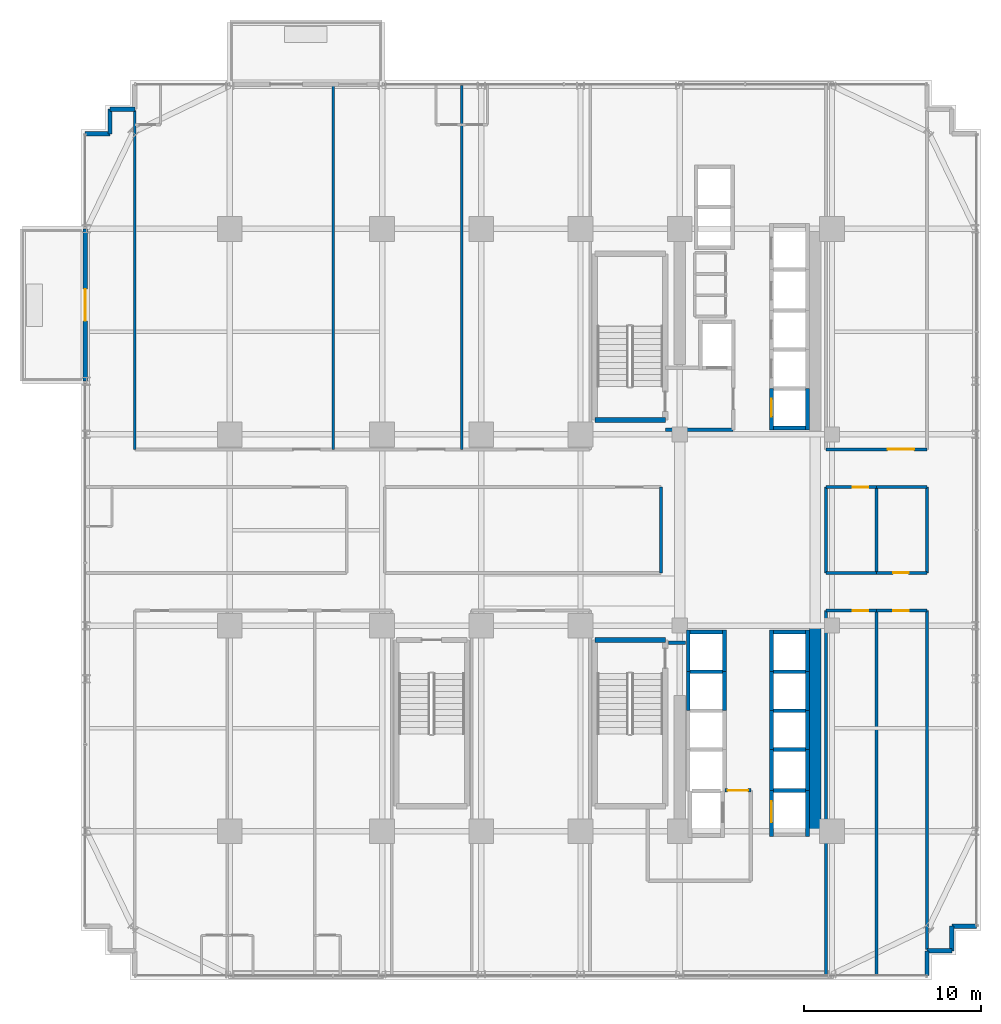
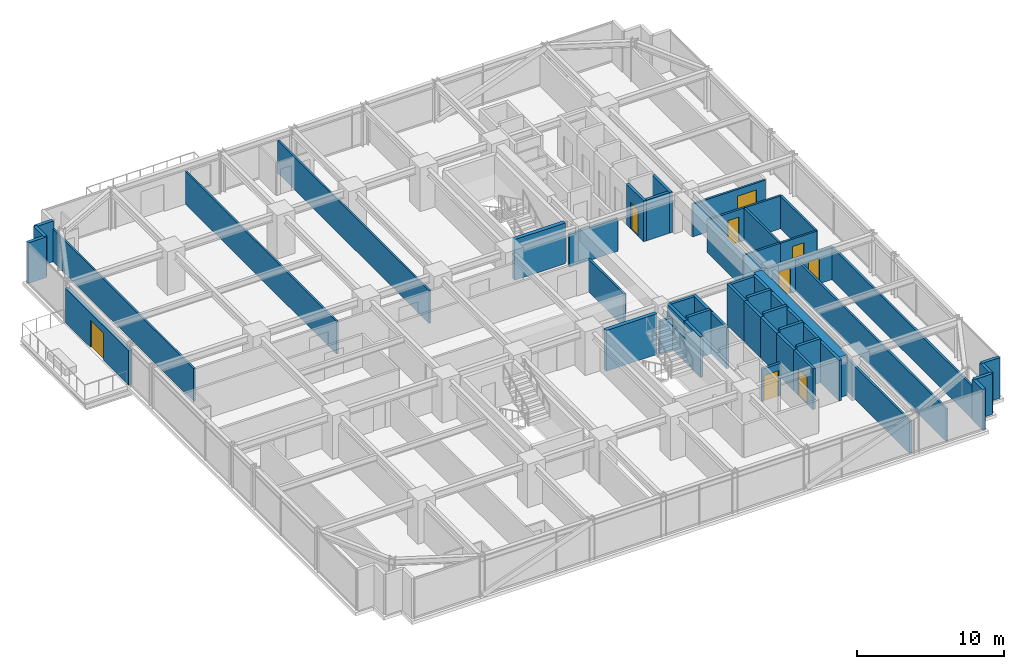
# One storey, part 30 of 36: 55 walls, 9 doors, 9 openings.
"""IFC4 building model written with IfcOpenShell, lengths in metres."""

from ifc_helpers import new_model, si_unit, direction, frame, frame_2d, origin, place, context, subcontext, project, spatial, rectangle, extrude, source, transform, mapped, material, layer, layer_set, type_object, element, fill, save


model = new_model("IFC4")

# Units and contexts
model_context = context("Model", 3, precision=1e-05, world=origin(), true_north=direction((0.0, 1.0)))
body_context = subcontext(model_context, "Body", "Model", "MODEL_VIEW")
ifc_project = project(units=[si_unit("LENGTHUNIT", "METRE"), si_unit("AREAUNIT", "SQUARE_METRE"), si_unit("VOLUMEUNIT", "CUBIC_METRE"), si_unit("PLANEANGLEUNIT", "RADIAN"), si_unit("MASSUNIT", "GRAM", prefix="KILO")], contexts=[model_context])

# Site, building, storey
site_placement = place(None, origin())
site = spatial("IfcSite", under=ifc_project, at=site_placement, CompositionType="ELEMENT")
building_placement = place(site_placement, origin())
building = spatial("IfcBuilding", under=site, at=building_placement, Name="Nahalor Promenade Grand Hotel", CompositionType="ELEMENT")
storey_placement = place(building_placement, frame((0.0, 0.0, 76.199951171875)))
storey = spatial("IfcBuildingStorey", under=building, at=storey_placement, Name="L18", CompositionType="ELEMENT", Elevation=76.199951171875)

# Walls
ifc_material_1 = material(Name="Concrete B-60 (C50/60)", Category="concrete")
ifc_layer_1 = layer(ifc_material_1, 0.64990234375)
ifc_layer_set_1 = layer_set([ifc_layer_1], Name="Concrete B-60 (C50/60)")
wall_type_1 = type_object("IfcWallType", Name="Wall-CoreShear-650", PredefinedType="SHEAR", material=ifc_layer_set_1)
shared_shape_1 = source(origin(), body_context, "Body", "SweptSolid", [
    extrude(rectangle(XDim=11.60009765625, YDim=0.64990234375, at=frame_2d((5.800048828125, 0.0))), origin(), (0.0, 0.0, 1.0), 3.3701171875),
])
wall_1_placement = place(storey_placement, frame((16.050048828125, -17.0, 0.0), z_axis=(0.0, 0.0, 1.0), x_axis=(0.0, 1.0, 0.0)))
element("IfcWall", 1, at=wall_1_placement, inside=storey, type_object=wall_type_1, Name="CWALL-L18-SE", PredefinedType="SHEAR", context=body_context, shape_type="MappedRepresentation", body=[
    mapped(shared_shape_1, transform((0.0, 0.0, 0.0), scale=1.0)),
])
ifc_material_2 = material(Name="Concrete B-50 (C40/50)", Category="concrete")
ifc_layer_2 = layer(ifc_material_2, 0.300048828125)
ifc_layer_set_2 = layer_set([ifc_layer_2], Name="Concrete B-50 (C40/50)")
wall_type_2 = type_object("IfcWallType", Name="Wall-ShaftShear-300", PredefinedType="SHEAR", material=ifc_layer_set_2)
shared_shape_2 = source(origin(), body_context, "Body", "SweptSolid", [
    extrude(rectangle(XDim=3.97998046875, YDim=0.300048828125, at=frame_2d((1.989990234375, 0.0))), origin(), (0.0, 0.0, 1.0), 3.3701171875),
])
for number, where, z_axis, x_axis, name in (
    (2, (3.610107421875, 6.2099609375, 0.0), (0.0, 0.0, 1.0), (1.0, 0.0, 0.0), "L18 Exit Stair ST1 Shaft Wall S"),
    (3, (3.610107421875, -6.2099609375, 0.0), (0.0, 0.0, 1.0), (1.0, 0.0, 0.0), "L18 Exit Stair ST2 Shaft Wall N"),
):
    element("IfcWall", number, at=place(storey_placement, frame(where, z_axis=z_axis, x_axis=x_axis)), inside=storey, type_object=wall_type_2, Name=name, PredefinedType="SHEAR", context=body_context, shape_type="MappedRepresentation", body=[
        mapped(shared_shape_2, transform((0.0, 0.0, 0.0), scale=1.0)),
    ])

# Wall, opening, door
ifc_layer_3 = layer(ifc_material_2, 0.219970703125)
ifc_layer_set_3 = layer_set([ifc_layer_3], Name="Concrete B-50 (C40/50)")
wall_type_3 = type_object("IfcWallType", Name="Wall-LiftShaft-220", PredefinedType="SHEAR", material=ifc_layer_set_3)
shared_shape_3 = source(origin(), body_context, "Body", "SweptSolid", [
    extrude(rectangle(XDim=2.360107421875, YDim=0.219970703125, at=frame_2d((1.18017578125, 0.0))), origin(), (0.0, 0.0, 1.0), 3.3701171875),
])
wall_2_placement = place(storey_placement, frame((13.580078125, 5.639892578125, 0.0), z_axis=(0.0, 0.0, 1.0), x_axis=(0.0, 1.0, 0.0)))
wall_2 = element("IfcWall", 4, at=wall_2_placement, inside=storey, type_object=wall_type_3, Name="L18 Lift PL1 Hoistway Wall W", PredefinedType="SHEAR", context=body_context, shape_type="MappedRepresentation", body=[
    mapped(shared_shape_3, transform((0.0, 0.0, 0.0), scale=1.0)),
])
opening_1_placement = place(wall_2_placement, frame((0.760009765625, 0.0, 0.0)))
opening_1 = element("IfcOpeningElement", 5, at=opening_1_placement, cuts=wall_2, Name="Opening LD-01", PredefinedType="OPENING", context=body_context, shape_type="SweptSolid", body=[
    extrude(rectangle(XDim=1.0, YDim=2.199951171875, at=frame_2d((0.5, 1.10009765625))), frame((0.0, 0.119873046875, 0.0), z_axis=(0.0, -1.0, 0.0), x_axis=(1.0, 0.0, 0.0)), (0.0, 0.0, 1.0), 0.239990234375),
])
ifc_material_3 = material(Name="Steel S355JR", Category="steel")
door_type_1 = type_object("IfcDoorType", Name="Door-LiftLanding-1000", OperationType="DOUBLE_DOOR_SLIDING", PredefinedType="DOOR", material=ifc_material_3)
shared_shape_4 = source(origin(), body_context, "Body", "SweptSolid", [
    extrude(rectangle(XDim=1.0, YDim=2.199951171875, at=frame_2d((0.5, 1.10009765625))), frame((0.0, 0.02490234375, 0.0), z_axis=(0.0, -1.0, 0.0), x_axis=(1.0, 0.0, 0.0)), (0.0, 0.0, 1.0), 0.050048828125),
])
door_1_placement = place(opening_1_placement, origin())
door_1 = element("IfcDoor", 6, at=door_1_placement, inside=storey, type_object=door_type_1, Name="DR-LIFT-PL1-L18", OperationType="DOUBLE_DOOR_SLIDING", OverallHeight=2.199951171875, OverallWidth=1.0, PredefinedType="DOOR", context=body_context, shape_type="MappedRepresentation", body=[
    mapped(shared_shape_4, transform((0.0, 0.0, 0.0), scale=1.0)),
])
fill(opening_1, door_1)

# Walls
for number, where, z_axis, x_axis, name in (
    (7, (15.6201171875, 5.639892578125, 0.0), (0.0, 0.0, 1.0), (0.0, 1.0, 0.0), "L18 Lift PL1 Hoistway Wall E"),
    (8, (13.580078125, -8.0, 0.0), (0.0, 0.0, 1.0), (0.0, 1.0, 0.0), "L18 Lift PL5 Hoistway Wall W"),
    (9, (15.6201171875, -8.0, 0.0), (0.0, 0.0, 1.0), (0.0, 1.0, 0.0), "L18 Lift PL5 Hoistway Wall E"),
    (10, (8.8798828125, -8.0, 0.0), (0.0, 0.0, 1.0), (0.0, 1.0, 0.0), "L18 Lift PL9 Hoistway Wall W"),
    (11, (10.919921875, -8.0, 0.0), (0.0, 0.0, 1.0), (0.0, 1.0, 0.0), "L18 Lift PL9 Hoistway Wall E"),
):
    element("IfcWall", number, at=place(storey_placement, frame(where, z_axis=z_axis, x_axis=x_axis)), inside=storey, type_object=wall_type_3, Name=name, PredefinedType="SHEAR", context=body_context, shape_type="MappedRepresentation", body=[
        mapped(shared_shape_3, transform((0.0, 0.0, 0.0), scale=1.0)),
    ])
shared_shape_5 = source(origin(), body_context, "Body", "SweptSolid", [
    extrude(rectangle(XDim=1.820068359375, YDim=0.219970703125, at=frame_2d((0.91015625, 0.0))), origin(), (0.0, 0.0, 1.0), 3.3701171875),
])
for number, where, z_axis, x_axis, name in (
    (12, (13.68994140625, 5.75, 0.0), (0.0, 0.0, 1.0), (1.0, 0.0, 0.0), "L18 Lift PL1 Hoistway Wall S"),
    (13, (13.68994140625, -5.75, 0.0), (0.0, 0.0, 1.0), (1.0, 0.0, 0.0), "L18 Lift PL5 Hoistway Wall N"),
    (14, (8.989990234375, -5.75, 0.0), (0.0, 0.0, 1.0), (1.0, 0.0, 0.0), "L18 Lift PL9 Hoistway Wall N"),
):
    element("IfcWall", number, at=place(storey_placement, frame(where, z_axis=z_axis, x_axis=x_axis)), inside=storey, type_object=wall_type_3, Name=name, PredefinedType="SHEAR", context=body_context, shape_type="MappedRepresentation", body=[
        mapped(shared_shape_5, transform((0.0, 0.0, 0.0), scale=1.0)),
    ])
shared_shape_6 = source(origin(), body_context, "Body", "SweptSolid", [
    extrude(rectangle(XDim=1.820068359375, YDim=0.219970703125, at=frame_2d((0.91015625, 0.0))), origin(), (0.0, 0.0, 1.0), 3.650146484375),
])
for number, where, z_axis, x_axis, name in (
    (15, (13.68994140625, -8.0, 0.0), (0.0, 0.0, 1.0), (1.0, 0.0, 0.0), "L18 Lift PL6 Hoistway Wall N"),
    (16, (13.68994140625, -10.199951171875, 0.0), (0.0, 0.0, 1.0), (1.0, 0.0, 0.0), "L18 Lift PL7 Hoistway Wall N"),
    (17, (13.68994140625, -12.39990234375, 0.0), (0.0, 0.0, 1.0), (1.0, 0.0, 0.0), "L18 Lift PL8 Hoistway Wall N"),
    (18, (8.989990234375, -8.0, 0.0), (0.0, 0.0, 1.0), (1.0, 0.0, 0.0), "L18 Lift PL10 Hoistway Wall N"),
    (19, (13.68994140625, -14.699951171875, 0.0), (0.0, 0.0, 1.0), (1.0, 0.0, 0.0), "L18 Lift SV2 Hoistway Wall N"),
):
    element("IfcWall", number, at=place(storey_placement, frame(where, z_axis=z_axis, x_axis=x_axis)), inside=storey, type_object=wall_type_3, Name=name, PredefinedType="SHEAR", context=body_context, shape_type="MappedRepresentation", body=[
        mapped(shared_shape_6, transform((0.0, 0.0, 0.0), scale=1.0)),
    ])
shared_shape_7 = source(origin(), body_context, "Body", "SweptSolid", [
    extrude(rectangle(XDim=2.199951171875, YDim=0.219970703125, at=frame_2d((1.10009765625, 0.0))), origin(), (0.0, 0.0, 1.0), 3.3701171875),
])
for number, where, z_axis, x_axis, name in (
    (20, (13.580078125, -10.199951171875, 0.0), (0.0, 0.0, 1.0), (0.0, 1.0, 0.0), "L18 Lift PL6 Hoistway Wall W"),
    (21, (15.6201171875, -10.199951171875, 0.0), (0.0, 0.0, 1.0), (0.0, 1.0, 0.0), "L18 Lift PL6 Hoistway Wall E"),
    (22, (13.580078125, -12.39990234375, 0.0), (0.0, 0.0, 1.0), (0.0, 1.0, 0.0), "L18 Lift PL7 Hoistway Wall W"),
    (23, (15.6201171875, -12.39990234375, 0.0), (0.0, 0.0, 1.0), (0.0, 1.0, 0.0), "L18 Lift PL7 Hoistway Wall E"),
    (24, (8.8798828125, -10.199951171875, 0.0), (0.0, 0.0, 1.0), (0.0, 1.0, 0.0), "L18 Lift PL10 Hoistway Wall W"),
    (25, (10.919921875, -10.199951171875, 0.0), (0.0, 0.0, 1.0), (0.0, 1.0, 0.0), "L18 Lift PL10 Hoistway Wall E"),
):
    element("IfcWall", number, at=place(storey_placement, frame(where, z_axis=z_axis, x_axis=x_axis)), inside=storey, type_object=wall_type_3, Name=name, PredefinedType="SHEAR", context=body_context, shape_type="MappedRepresentation", body=[
        mapped(shared_shape_7, transform((0.0, 0.0, 0.0), scale=1.0)),
    ])
shared_shape_8 = source(origin(), body_context, "Body", "SweptSolid", [
    extrude(rectangle(XDim=2.300048828125, YDim=0.219970703125, at=frame_2d((1.14990234375, 0.0))), origin(), (0.0, 0.0, 1.0), 3.3701171875),
])
for number, where, z_axis, x_axis, name in (
    (26, (13.580078125, -14.699951171875, 0.0), (0.0, 0.0, 1.0), (0.0, 1.0, 0.0), "L18 Lift PL8 Hoistway Wall W"),
    (27, (15.6201171875, -14.699951171875, 0.0), (0.0, 0.0, 1.0), (0.0, 1.0, 0.0), "L18 Lift PL8 Hoistway Wall E"),
):
    element("IfcWall", number, at=place(storey_placement, frame(where, z_axis=z_axis, x_axis=x_axis)), inside=storey, type_object=wall_type_3, Name=name, PredefinedType="SHEAR", context=body_context, shape_type="MappedRepresentation", body=[
        mapped(shared_shape_8, transform((0.0, 0.0, 0.0), scale=1.0)),
    ])

# Wall, opening, door
shared_shape_9 = source(origin(), body_context, "Body", "SweptSolid", [
    extrude(rectangle(XDim=2.610107421875, YDim=0.219970703125, at=frame_2d((1.30517578125, 0.0))), origin(), (0.0, 0.0, 1.0), 3.3701171875),
])
wall_3_placement = place(storey_placement, frame((13.580078125, -17.31005859375, 0.0), z_axis=(0.0, 0.0, 1.0), x_axis=(0.0, 1.0, 0.0)))
wall_3 = element("IfcWall", 28, at=wall_3_placement, inside=storey, type_object=wall_type_3, Name="L18 Lift SV2 Hoistway Wall W", PredefinedType="SHEAR", context=body_context, shape_type="MappedRepresentation", body=[
    mapped(shared_shape_9, transform((0.0, 0.0, 0.0), scale=1.0)),
])
opening_2_placement = place(wall_3_placement, frame((0.81005859375, 0.0, 0.0)))
opening_2 = element("IfcOpeningElement", 29, at=opening_2_placement, cuts=wall_3, Name="Opening LD-03", PredefinedType="OPENING", context=body_context, shape_type="SweptSolid", body=[
    extrude(rectangle(XDim=1.199951171875, YDim=2.199951171875, at=frame_2d((0.60009765625, 1.10009765625))), frame((0.0, 0.119873046875, 0.0), z_axis=(0.0, -1.0, 0.0), x_axis=(1.0, 0.0, 0.0)), (0.0, 0.0, 1.0), 0.239990234375),
])
door_type_2 = type_object("IfcDoorType", Name="Door-LiftService-1200", OperationType="DOUBLE_DOOR_SLIDING", PredefinedType="DOOR", material=ifc_material_3)
shared_shape_10 = source(origin(), body_context, "Body", "SweptSolid", [
    extrude(rectangle(XDim=1.199951171875, YDim=2.199951171875, at=frame_2d((0.60009765625, 1.10009765625))), frame((0.0, 0.02490234375, 0.0), z_axis=(0.0, -1.0, 0.0), x_axis=(1.0, 0.0, 0.0)), (0.0, 0.0, 1.0), 0.050048828125),
])
door_2_placement = place(opening_2_placement, origin())
door_2 = element("IfcDoor", 30, at=door_2_placement, inside=storey, type_object=door_type_2, Name="DR-LIFT-SV2-L18", OperationType="DOUBLE_DOOR_SLIDING", OverallHeight=2.199951171875, OverallWidth=1.199951171875, PredefinedType="DOOR", context=body_context, shape_type="MappedRepresentation", body=[
    mapped(shared_shape_10, transform((0.0, 0.0, 0.0), scale=1.0)),
])
fill(opening_2, door_2)

# Walls
wall_4_placement = place(storey_placement, frame((15.6201171875, -17.31005859375, 0.0), z_axis=(0.0, 0.0, 1.0), x_axis=(0.0, 1.0, 0.0)))
element("IfcWall", 31, at=wall_4_placement, inside=storey, type_object=wall_type_3, Name="L18 Lift SV2 Hoistway Wall E", PredefinedType="SHEAR", context=body_context, shape_type="MappedRepresentation", body=[
    mapped(shared_shape_9, transform((0.0, 0.0, 0.0), scale=1.0)),
])
ifc_material_4 = material(Name="Concrete B-40 (C32/40)", Category="concrete")
ifc_layer_4 = layer(ifc_material_4, 0.25)
ifc_layer_set_4 = layer_set([ifc_layer_4], Name="Concrete B-40 (C32/40)")
wall_type_4 = type_object("IfcWallType", Name="Wall-BronzePier-250", PredefinedType="STANDARD", material=ifc_layer_set_4)
shared_shape_11 = source(origin(), body_context, "Body", "SweptSolid", [
    extrude(rectangle(XDim=1.39990234375, YDim=0.25, at=frame_2d((0.699951171875, 0.0))), origin(), (0.0, 0.0, 1.0), 3.3701171875),
])
for number, where, z_axis, x_axis, name in (
    (32, (22.360107421875, -25.159912109375, 0.0), (0.0, 0.0, 1.0), (0.0, 1.0, 0.0), "W-L18-SR-01"),
    (33, (22.360107421875, -23.760009765625, 0.0), (0.0, 0.0, 1.0), (1.0, 0.0, 0.0), "W-L18-SR-02"),
    (34, (23.760009765625, -23.760009765625, 0.0), (0.0, 0.0, 1.0), (0.0, 1.0, 0.0), "W-L18-SR-03"),
    (35, (23.760009765625, -22.360107421875, 0.0), (0.0, 0.0, 1.0), (1.0, 0.0, 0.0), "W-L18-SR-04"),
    (36, (-23.760009765625, 23.760009765625, 0.0), (0.0, 0.0, 1.0), (1.0, 0.0, 0.0), "W-L18-SR-10"),
    (37, (-23.760009765625, 22.360107421875, 0.0), (0.0, 0.0, 1.0), (0.0, 1.0, 0.0), "W-L18-SR-11"),
    (38, (-25.159912109375, 22.360107421875, 0.0), (0.0, 0.0, 1.0), (1.0, 0.0, 0.0), "W-L18-SR-12"),
):
    element("IfcWall", number, at=place(storey_placement, frame(where, z_axis=z_axis, x_axis=x_axis)), inside=storey, type_object=wall_type_4, Name=name, PredefinedType="STANDARD", context=body_context, shape_type="MappedRepresentation", body=[
        mapped(shared_shape_11, transform((0.0, 0.0, 0.0), scale=1.0)),
    ])

# Wall, opening, door
ifc_layer_5 = layer(ifc_material_4, 0.260009765625)
ifc_layer_set_5 = layer_set([ifc_layer_5], Name="Concrete B-40 (C32/40)")
wall_type_5 = type_object("IfcWallType", Name="Wall-BalconyWall-260", PredefinedType="STANDARD", material=ifc_layer_set_5)
shared_shape_12 = source(origin(), body_context, "Body", "SweptSolid", [
    extrude(rectangle(XDim=8.60009765625, YDim=0.260009765625, at=frame_2d((4.300048828125, 0.0))), origin(), (0.0, 0.0, 1.0), 2.85009765625),
])
wall_5_placement = place(storey_placement, frame((-25.159912109375, 8.39990234375, 0.0), z_axis=(0.0, 0.0, 1.0), x_axis=(0.0, 1.0, 0.0)))
wall_5 = element("IfcWall", 39, at=wall_5_placement, inside=storey, type_object=wall_type_5, Name="W-L18-BALC-W-2", PredefinedType="STANDARD", context=body_context, shape_type="MappedRepresentation", body=[
    mapped(shared_shape_12, transform((0.0, 0.0, 0.0), scale=1.0)),
])
opening_3_placement = place(wall_5_placement, frame((3.39990234375, 0.0, 0.0)))
opening_3 = element("IfcOpeningElement", 40, at=opening_3_placement, cuts=wall_5, Name="Opening D-BC1", PredefinedType="OPENING", context=body_context, shape_type="SweptSolid", body=[
    extrude(rectangle(XDim=1.800048828125, YDim=2.25, at=frame_2d((0.89990234375, 1.125))), frame((0.0, 0.139892578125, 0.0), z_axis=(0.0, -1.0, 0.0), x_axis=(1.0, 0.0, 0.0)), (0.0, 0.0, 1.0), 0.280029296875),
])
ifc_material_5 = material(Name="Anodised Bronze Aluminium EN AW-6063 T6", Category="aluminium")
door_type_3 = type_object("IfcDoorType", Name="Door-BalconySlide-1800", OperationType="DOUBLE_DOOR_SLIDING", PredefinedType="DOOR", material=ifc_material_5)
shared_shape_13 = source(origin(), body_context, "Body", "SweptSolid", [
    extrude(rectangle(XDim=1.800048828125, YDim=2.25, at=frame_2d((0.89990234375, 1.125))), frame((0.0, 0.02490234375, 0.0), z_axis=(0.0, -1.0, 0.0), x_axis=(1.0, 0.0, 0.0)), (0.0, 0.0, 1.0), 0.050048828125),
])
door_3_placement = place(opening_3_placement, origin())
door_3 = element("IfcDoor", 41, at=door_3_placement, inside=storey, type_object=door_type_3, Name="DR-L18-BALC-W-2", OperationType="DOUBLE_DOOR_SLIDING", OverallHeight=2.25, OverallWidth=1.800048828125, PredefinedType="DOOR", context=body_context, shape_type="MappedRepresentation", body=[
    mapped(shared_shape_13, transform((0.0, 0.0, 0.0), scale=1.0)),
])
fill(opening_3, door_3)

# Wall
ifc_layer_6 = layer(ifc_material_4, 0.199951171875)
ifc_layer_set_6 = layer_set([ifc_layer_6], Name="Concrete B-40 (C32/40)")
wall_type_6 = type_object("IfcWallType", Name="Wall-PartFire-200", PredefinedType="PARTITIONING", material=ifc_layer_set_6)
shared_shape_14 = source(origin(), body_context, "Body", "SweptSolid", [
    extrude(rectangle(XDim=3.81982421875, YDim=0.199951171875, at=frame_2d((1.909912109375, 0.0))), origin(), (0.0, 0.0, 1.0), 2.7099609375),
])
wall_6_placement = place(storey_placement, frame((7.60009765625, 5.64990234375, 0.0), z_axis=(0.0, 0.0, 1.0), x_axis=(1.0, 0.0, 0.0)))
element("IfcWall", 42, at=wall_6_placement, inside=storey, type_object=wall_type_6, Name="W-L18-FF1-S", PredefinedType="PARTITIONING", context=body_context, shape_type="MappedRepresentation", body=[
    mapped(shared_shape_14, transform((0.0, 0.0, 0.0), scale=1.0)),
])

# Wall, opening, door
shared_shape_15 = source(origin(), body_context, "Body", "SweptSolid", [
    extrude(rectangle(XDim=1.4599609375, YDim=0.199951171875, at=frame_2d((0.72998046875, 0.0))), origin(), (0.0, 0.0, 1.0), 2.7099609375),
])
wall_7_placement = place(storey_placement, frame((10.9599609375, -14.699951171875, 0.0), z_axis=(0.0, 0.0, 1.0), x_axis=(1.0, 0.0, 0.0)))
wall_7 = element("IfcWall", 43, at=wall_7_placement, inside=storey, type_object=wall_type_6, Name="W-L18-FF2-N1", PredefinedType="PARTITIONING", context=body_context, shape_type="MappedRepresentation", body=[
    mapped(shared_shape_15, transform((0.0, 0.0, 0.0), scale=1.0)),
])
opening_4_placement = place(wall_7_placement, frame((0.14501953125, 0.0, 0.0)))
opening_4 = element("IfcOpeningElement", 44, at=opening_4_placement, cuts=wall_7, Name="Opening D-FF1", PredefinedType="OPENING", context=body_context, shape_type="SweptSolid", body=[
    extrude(rectangle(XDim=1.14990234375, YDim=2.14990234375, at=frame_2d((0.574951171875, 1.074951171875))), frame((0.0, 0.10986328125, 0.0), z_axis=(0.0, -1.0, 0.0), x_axis=(1.0, 0.0, 0.0)), (0.0, 0.0, 1.0), 0.219970703125),
])
door_type_4 = type_object("IfcDoorType", Name="Door-FFLobby-1150", OperationType="NOTDEFINED", PredefinedType="DOOR", material=ifc_material_3)
shared_shape_16 = source(origin(), body_context, "Body", "SweptSolid", [
    extrude(rectangle(XDim=1.14990234375, YDim=2.14990234375, at=frame_2d((0.574951171875, 1.074951171875))), frame((0.0, 0.02490234375, 0.0), z_axis=(0.0, -1.0, 0.0), x_axis=(1.0, 0.0, 0.0)), (0.0, 0.0, 1.0), 0.050048828125),
])
door_4_placement = place(opening_4_placement, origin())
door_4 = element("IfcDoor", 45, at=door_4_placement, inside=storey, type_object=door_type_4, Name="DR-L18-FFL2", OperationType="SINGLE_SWING_RIGHT", OverallHeight=2.14990234375, OverallWidth=1.14990234375, PredefinedType="DOOR", context=body_context, shape_type="MappedRepresentation", body=[
    mapped(shared_shape_16, transform((0.0, 0.0, 0.0), scale=1.0)),
])
fill(opening_4, door_4)

# Wall
shared_shape_17 = source(origin(), body_context, "Body", "SweptSolid", [
    extrude(rectangle(XDim=0.969970703125, YDim=0.199951171875, at=frame_2d((0.48486328125, 0.0))), origin(), (0.0, 0.0, 1.0), 2.7099609375),
])
wall_8_placement = place(storey_placement, frame((7.77001953125, -6.35009765625, 0.0), z_axis=(0.0, 0.0, 1.0), x_axis=(1.0, 0.0, 0.0)))
element("IfcWall", 46, at=wall_8_placement, inside=storey, type_object=wall_type_6, Name="W-L18-FF2-N2", PredefinedType="PARTITIONING", context=body_context, shape_type="MappedRepresentation", body=[
    mapped(shared_shape_17, transform((0.0, 0.0, 0.0), scale=1.0)),
])

# Wall, opening, door
ifc_material_6 = material(Name="Acoustic Mineral Gypsum", Category="gypsum")
ifc_layer_7 = layer(ifc_material_6, 0.159912109375)
ifc_layer_set_7 = layer_set([ifc_layer_7], Name="Acoustic Mineral Gypsum")
wall_type_7 = type_object("IfcWallType", Name="Wall-PartCorridor-160", PredefinedType="PARTITIONING", material=ifc_layer_set_7)
shared_shape_18 = source(origin(), body_context, "Body", "SweptSolid", [
    extrude(rectangle(XDim=5.710205078125, YDim=0.159912109375, at=frame_2d((2.85498046875, 0.0))), origin(), (0.0, 0.0, 1.0), 2.7099609375),
])
wall_9_placement = place(storey_placement, frame((16.64990234375, 4.550048828125, 0.0), z_axis=(0.0, 0.0, 1.0), x_axis=(1.0, 0.0, 0.0)))
wall_9 = element("IfcWall", 47, at=wall_9_placement, inside=storey, type_object=wall_type_7, Name="W-L18-ENE-S", PredefinedType="PARTITIONING", context=body_context, shape_type="MappedRepresentation", body=[
    mapped(shared_shape_18, transform((0.0, 0.0, 0.0), scale=1.0)),
])
opening_5_placement = place(wall_9_placement, frame((3.47900390625, 0.0, 0.0)))
opening_5 = element("IfcOpeningElement", 48, at=opening_5_placement, cuts=wall_9, Name="Opening D-02", PredefinedType="OPENING", context=body_context, shape_type="SweptSolid", body=[
    extrude(rectangle(XDim=1.5, YDim=2.14990234375, at=frame_2d((0.75, 1.074951171875))), frame((0.0, 0.08984375, 0.0), z_axis=(0.0, -1.0, 0.0), x_axis=(1.0, 0.0, 0.0)), (0.0, 0.0, 1.0), 0.179931640625),
])
ifc_material_7 = material(Name="Fire-Rated Timber Composite", Category="wood")
door_type_5 = type_object("IfcDoorType", Name="Door-SuiteDouble-1500", OperationType="DOUBLE_DOOR_SINGLE_SWING", PredefinedType="DOOR", material=ifc_material_7)
shared_shape_19 = source(origin(), body_context, "Body", "SweptSolid", [
    extrude(rectangle(XDim=1.5, YDim=2.14990234375, at=frame_2d((0.75, 1.074951171875))), frame((0.0, 0.02490234375, 0.0), z_axis=(0.0, -1.0, 0.0), x_axis=(1.0, 0.0, 0.0)), (0.0, 0.0, 1.0), 0.050048828125),
])
door_5_placement = place(opening_5_placement, origin())
door_5 = element("IfcDoor", 49, at=door_5_placement, inside=storey, type_object=door_type_5, Name="DR-L18-ENE", OperationType="DOUBLE_DOOR_SINGLE_SWING", OverallHeight=2.14990234375, OverallWidth=1.5, PredefinedType="DOOR", context=body_context, shape_type="MappedRepresentation", body=[
    mapped(shared_shape_19, transform((0.0, 0.0, 0.0), scale=1.0)),
])
fill(opening_5, door_5)

# Walls
shared_shape_20 = source(origin(), body_context, "Body", "SweptSolid", [
    extrude(rectangle(XDim=20.550048828125, YDim=0.159912109375, at=frame_2d((10.27490234375, 0.0))), origin(), (0.0, 0.0, 1.0), 2.7099609375),
])
for number, where, z_axis, x_axis, name in (
    (50, (16.64990234375, -25.10009765625, 0.0), (0.0, 0.0, 1.0), (0.0, 1.0, 0.0), "W-L18-ESE1-W"),
    (51, (19.5048828125, -25.10009765625, 0.0), (0.0, 0.0, 1.0), (0.0, 1.0, 0.0), "W-L18-ESE1-E"),
):
    element("IfcWall", number, at=place(storey_placement, frame(where, z_axis=z_axis, x_axis=x_axis)), inside=storey, type_object=wall_type_7, Name=name, PredefinedType="PARTITIONING", context=body_context, shape_type="MappedRepresentation", body=[
        mapped(shared_shape_20, transform((0.0, 0.0, 0.0), scale=1.0)),
    ])
shared_shape_21 = source(origin(), body_context, "Body", "SweptSolid", [
    extrude(rectangle(XDim=19.1298828125, YDim=0.159912109375, at=frame_2d((9.56494140625, 0.0))), origin(), (0.0, 0.0, 1.0), 2.7099609375),
])
wall_10_placement = place(storey_placement, frame((22.360107421875, -23.679931640625, 0.0), z_axis=(0.0, 0.0, 1.0), x_axis=(0.0, 1.0, 0.0)))
element("IfcWall", 52, at=wall_10_placement, inside=storey, type_object=wall_type_7, Name="W-L18-ESE2-E", PredefinedType="PARTITIONING", context=body_context, shape_type="MappedRepresentation", body=[
    mapped(shared_shape_21, transform((0.0, 0.0, 0.0), scale=1.0)),
])
ifc_layer_8 = layer(ifc_material_6, 0.139892578125)
ifc_layer_set_8 = layer_set([ifc_layer_8], Name="Acoustic Mineral Gypsum")
wall_type_8 = type_object("IfcWallType", Name="Wall-PartSuite-140", PredefinedType="PARTITIONING", material=ifc_layer_set_8)
shared_shape_22 = source(origin(), body_context, "Body", "SweptSolid", [
    extrude(rectangle(XDim=19.1298828125, YDim=0.139892578125, at=frame_2d((9.56494140625, 0.0))), origin(), (0.0, 0.0, 1.0), 2.7099609375),
])
wall_11_placement = place(storey_placement, frame((-22.360107421875, 4.550048828125, 0.0), z_axis=(0.0, 0.0, 1.0), x_axis=(0.0, 1.0, 0.0)))
element("IfcWall", 53, at=wall_11_placement, inside=storey, type_object=wall_type_8, Name="W-L18-NW-ENDW", PredefinedType="PARTITIONING", context=body_context, shape_type="MappedRepresentation", body=[
    mapped(shared_shape_22, transform((0.0, 0.0, 0.0), scale=1.0)),
])
shared_shape_23 = source(origin(), body_context, "Body", "SweptSolid", [
    extrude(rectangle(XDim=20.550048828125, YDim=0.139892578125, at=frame_2d((10.27490234375, 0.0))), origin(), (0.0, 0.0, 1.0), 2.7099609375),
])
for number, where, z_axis, x_axis, name in (
    (54, (-11.159912109375, 4.550048828125, 0.0), (0.0, 0.0, 1.0), (0.0, 1.0, 0.0), "W-L18-NP-1"),
    (55, (-3.909912109375, 4.550048828125, 0.0), (0.0, 0.0, 1.0), (0.0, 1.0, 0.0), "W-L18-NP-2"),
):
    element("IfcWall", number, at=place(storey_placement, frame(where, z_axis=z_axis, x_axis=x_axis)), inside=storey, type_object=wall_type_8, Name=name, PredefinedType="PARTITIONING", context=body_context, shape_type="MappedRepresentation", body=[
        mapped(shared_shape_23, transform((0.0, 0.0, 0.0), scale=1.0)),
    ])
shared_shape_24 = source(origin(), body_context, "Body", "SweptSolid", [
    extrude(rectangle(XDim=4.83984375, YDim=0.159912109375, at=frame_2d((2.419921875, 0.0))), origin(), (0.0, 0.0, 1.0), 2.7099609375),
])
for number, where, z_axis, x_axis, name in (
    (56, (7.35009765625, -2.419921875, 0.0), (0.0, 0.0, 1.0), (0.0, 1.0, 0.0), "W-L18-CM1-E"),
    (57, (16.64990234375, -2.419921875, 0.0), (0.0, 0.0, 1.0), (0.0, 1.0, 0.0), "W-L18-ECW1-W"),
    (58, (19.5048828125, -2.419921875, 0.0), (0.0, 0.0, 1.0), (0.0, 1.0, 0.0), "W-L18-ECW1-E"),
    (59, (22.360107421875, -2.419921875, 0.0), (0.0, 0.0, 1.0), (0.0, 1.0, 0.0), "W-L18-ECW2-E"),
):
    element("IfcWall", number, at=place(storey_placement, frame(where, z_axis=z_axis, x_axis=x_axis)), inside=storey, type_object=wall_type_7, Name=name, PredefinedType="PARTITIONING", context=body_context, shape_type="MappedRepresentation", body=[
        mapped(shared_shape_24, transform((0.0, 0.0, 0.0), scale=1.0)),
    ])

# Wall, opening, door
shared_shape_25 = source(origin(), body_context, "Body", "SweptSolid", [
    extrude(rectangle(XDim=2.85498046875, YDim=0.159912109375, at=frame_2d((1.427490234375, 0.0))), origin(), (0.0, 0.0, 1.0), 2.7099609375),
])
wall_12_placement = place(storey_placement, frame((16.64990234375, -4.550048828125, 0.0), z_axis=(0.0, 0.0, 1.0), x_axis=(1.0, 0.0, 0.0)))
wall_12 = element("IfcWall", 60, at=wall_12_placement, inside=storey, type_object=wall_type_7, Name="W-L18-ESE1-N", PredefinedType="PARTITIONING", context=body_context, shape_type="MappedRepresentation", body=[
    mapped(shared_shape_25, transform((0.0, 0.0, 0.0), scale=1.0)),
])
opening_6_placement = place(wall_12_placement, frame((1.510986328125, 0.0, 0.0)))
opening_6 = element("IfcOpeningElement", 61, at=opening_6_placement, cuts=wall_12, Name="Opening D-03", PredefinedType="OPENING", context=body_context, shape_type="SweptSolid", body=[
    extrude(rectangle(XDim=0.8798828125, YDim=2.10009765625, at=frame_2d((0.43994140625, 1.050048828125))), frame((0.0, 0.08984375, 0.0), z_axis=(0.0, -1.0, 0.0), x_axis=(1.0, 0.0, 0.0)), (0.0, 0.0, 1.0), 0.179931640625),
])
door_type_6 = type_object("IfcDoorType", Name="Door-BathSwing-880", OperationType="NOTDEFINED", PredefinedType="DOOR", material=ifc_material_7)
shared_shape_26 = source(origin(), body_context, "Body", "SweptSolid", [
    extrude(rectangle(XDim=0.8798828125, YDim=2.10009765625, at=frame_2d((0.43994140625, 1.050048828125))), frame((0.0, 0.02490234375, 0.0), z_axis=(0.0, -1.0, 0.0), x_axis=(1.0, 0.0, 0.0)), (0.0, 0.0, 1.0), 0.050048828125),
])
door_6_placement = place(opening_6_placement, frame((0.8798828125, 0.0, 0.0), z_axis=(0.0, 0.0, 1.0), x_axis=(-1.0, 0.0, 0.0)))
door_6 = element("IfcDoor", 62, at=door_6_placement, inside=storey, type_object=door_type_6, Name="DR-L18-ESE1", OperationType="SINGLE_SWING_RIGHT", OverallHeight=2.10009765625, OverallWidth=0.8798828125, PredefinedType="DOOR", context=body_context, shape_type="MappedRepresentation", body=[
    mapped(shared_shape_26, transform((0.0, 0.0, 0.0), scale=1.0)),
])
fill(opening_6, door_6)

# Wall
wall_13_placement = place(storey_placement, frame((16.64990234375, -2.419921875, 0.0), z_axis=(0.0, 0.0, 1.0), x_axis=(1.0, 0.0, 0.0)))
element("IfcWall", 63, at=wall_13_placement, inside=storey, type_object=wall_type_7, Name="W-L18-ECW1-S", PredefinedType="PARTITIONING", context=body_context, shape_type="MappedRepresentation", body=[
    mapped(shared_shape_25, transform((0.0, 0.0, 0.0), scale=1.0)),
])

# Wall, opening, door
wall_14_placement = place(storey_placement, frame((16.64990234375, 2.419921875, 0.0), z_axis=(0.0, 0.0, 1.0), x_axis=(1.0, 0.0, 0.0)))
wall_14 = element("IfcWall", 64, at=wall_14_placement, inside=storey, type_object=wall_type_7, Name="W-L18-ECW1-N", PredefinedType="PARTITIONING", context=body_context, shape_type="MappedRepresentation", body=[
    mapped(shared_shape_25, transform((0.0, 0.0, 0.0), scale=1.0)),
])
opening_7_placement = place(wall_14_placement, frame((1.510986328125, 0.0, 0.0)))
opening_7 = element("IfcOpeningElement", 65, at=opening_7_placement, cuts=wall_14, Name="Opening D-03", PredefinedType="OPENING", context=body_context, shape_type="SweptSolid", body=[
    extrude(rectangle(XDim=0.8798828125, YDim=2.10009765625, at=frame_2d((0.43994140625, 1.050048828125))), frame((0.0, 0.08984375, 0.0), z_axis=(0.0, -1.0, 0.0), x_axis=(1.0, 0.0, 0.0)), (0.0, 0.0, 1.0), 0.179931640625),
])
door_7_placement = place(opening_7_placement, frame((0.8798828125, 0.0, 0.0), z_axis=(0.0, 0.0, 1.0), x_axis=(-1.0, 0.0, 0.0)))
door_7 = element("IfcDoor", 66, at=door_7_placement, inside=storey, type_object=door_type_6, Name="DR-L18-ECW1", OperationType="SINGLE_SWING_RIGHT", OverallHeight=2.10009765625, OverallWidth=0.8798828125, PredefinedType="DOOR", context=body_context, shape_type="MappedRepresentation", body=[
    mapped(shared_shape_26, transform((0.0, 0.0, 0.0), scale=1.0)),
])
fill(opening_7, door_7)

shared_shape_27 = source(origin(), body_context, "Body", "SweptSolid", [
    extrude(rectangle(XDim=2.855224609375, YDim=0.159912109375, at=frame_2d((1.427734375, 0.0))), origin(), (0.0, 0.0, 1.0), 2.7099609375),
])
wall_15_placement = place(storey_placement, frame((19.5048828125, -4.550048828125, 0.0), z_axis=(0.0, 0.0, 1.0), x_axis=(1.0, 0.0, 0.0)))
wall_15 = element("IfcWall", 67, at=wall_15_placement, inside=storey, type_object=wall_type_7, Name="W-L18-ESE2-N", PredefinedType="PARTITIONING", context=body_context, shape_type="MappedRepresentation", body=[
    mapped(shared_shape_27, transform((0.0, 0.0, 0.0), scale=1.0)),
])
opening_8_placement = place(wall_15_placement, frame((0.93994140625, 0.0, 0.0)))
opening_8 = element("IfcOpeningElement", 68, at=opening_8_placement, cuts=wall_15, Name="Opening D-03", PredefinedType="OPENING", context=body_context, shape_type="SweptSolid", body=[
    extrude(rectangle(XDim=0.8798828125, YDim=2.10009765625, at=frame_2d((0.43994140625, 1.050048828125))), frame((0.0, 0.08984375, 0.0), z_axis=(0.0, -1.0, 0.0), x_axis=(1.0, 0.0, 0.0)), (0.0, 0.0, 1.0), 0.179931640625),
])
door_8_placement = place(opening_8_placement, frame((0.8798828125, 0.0, 0.0), z_axis=(0.0, 0.0, 1.0), x_axis=(-1.0, 0.0, 0.0)))
door_8 = element("IfcDoor", 69, at=door_8_placement, inside=storey, type_object=door_type_6, Name="DR-L18-ESE2", OperationType="SINGLE_SWING_LEFT", OverallHeight=2.10009765625, OverallWidth=0.8798828125, PredefinedType="DOOR", context=body_context, shape_type="MappedRepresentation", body=[
    mapped(shared_shape_26, transform((0.0, 0.0, 0.0), scale=1.0)),
])
fill(opening_8, door_8)

wall_16_placement = place(storey_placement, frame((19.5048828125, -2.419921875, 0.0), z_axis=(0.0, 0.0, 1.0), x_axis=(1.0, 0.0, 0.0)))
wall_16 = element("IfcWall", 70, at=wall_16_placement, inside=storey, type_object=wall_type_7, Name="W-L18-ECW2-S", PredefinedType="PARTITIONING", context=body_context, shape_type="MappedRepresentation", body=[
    mapped(shared_shape_27, transform((0.0, 0.0, 0.0), scale=1.0)),
])
opening_9_placement = place(wall_16_placement, frame((0.93994140625, 0.0, 0.0)))
opening_9 = element("IfcOpeningElement", 71, at=opening_9_placement, cuts=wall_16, Name="Opening D-03", PredefinedType="OPENING", context=body_context, shape_type="SweptSolid", body=[
    extrude(rectangle(XDim=0.8798828125, YDim=2.10009765625, at=frame_2d((0.43994140625, 1.050048828125))), frame((0.0, 0.08984375, 0.0), z_axis=(0.0, -1.0, 0.0), x_axis=(1.0, 0.0, 0.0)), (0.0, 0.0, 1.0), 0.179931640625),
])
door_9_placement = place(opening_9_placement, origin())
door_9 = element("IfcDoor", 72, at=door_9_placement, inside=storey, type_object=door_type_6, Name="DR-L18-ECW2", OperationType="SINGLE_SWING_LEFT", OverallHeight=2.10009765625, OverallWidth=0.8798828125, PredefinedType="DOOR", context=body_context, shape_type="MappedRepresentation", body=[
    mapped(shared_shape_26, transform((0.0, 0.0, 0.0), scale=1.0)),
])
fill(opening_9, door_9)

# Wall
wall_17_placement = place(storey_placement, frame((19.5048828125, 2.419921875, 0.0), z_axis=(0.0, 0.0, 1.0), x_axis=(1.0, 0.0, 0.0)))
element("IfcWall", 73, at=wall_17_placement, inside=storey, type_object=wall_type_7, Name="W-L18-ECW2-N", PredefinedType="PARTITIONING", context=body_context, shape_type="MappedRepresentation", body=[
    mapped(shared_shape_27, transform((0.0, 0.0, 0.0), scale=1.0)),
])

save(model, "model.ifc")
